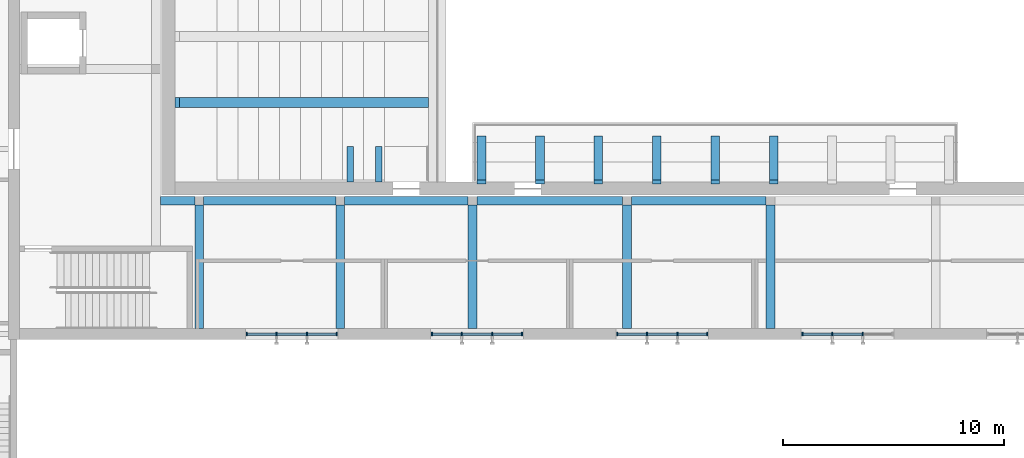
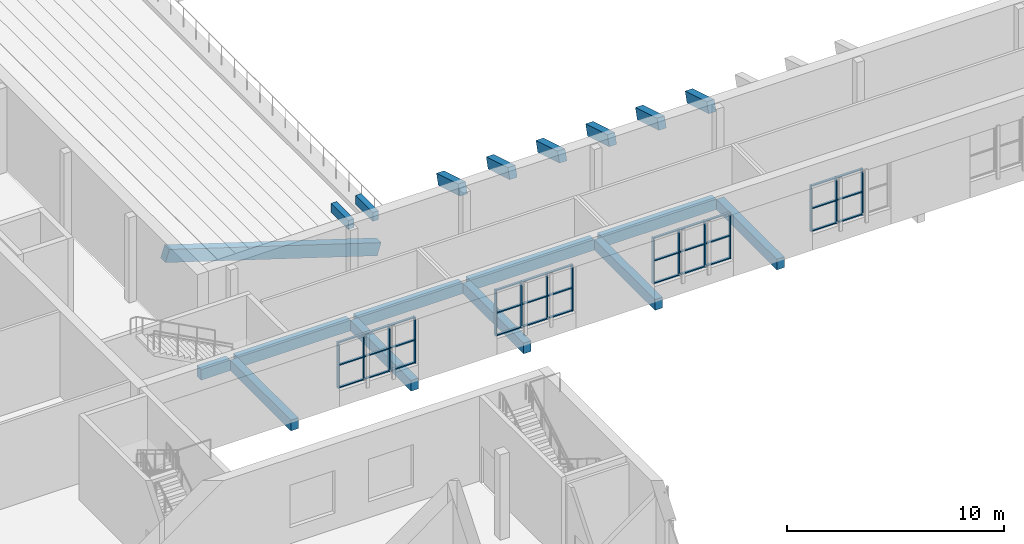
# One storey, part 22 of 127: 48 members, 19 beams, 4 elements without a shape of their own.
"""IFC4 building model written with IfcOpenShell, lengths in metres."""

from ifc_helpers import new_model, si_unit, direction, frame, origin, origin_2d, place, context, subcontext, project, spatial, rectangle, extrude, material, material_profile, profile_set, type_object, element, aggregate, save


model = new_model("IFC4")

# Units and contexts
model_context = context("Model", 3, precision=1e-05, world=origin(), true_north=direction((0.0, 1.0)))
body_context = subcontext(model_context, "Body", "Model", "MODEL_VIEW")
ifc_project = project(units=[si_unit("LENGTHUNIT", "METRE"), si_unit("AREAUNIT", "SQUARE_METRE"), si_unit("VOLUMEUNIT", "CUBIC_METRE"), si_unit("PLANEANGLEUNIT", "RADIAN"), si_unit("MASSUNIT", "GRAM", prefix="KILO")], contexts=[model_context])

# Site, building, storey
site_placement = place(None, origin())
site = spatial("IfcSite", under=ifc_project, at=site_placement, CompositionType="ELEMENT")
building_placement = place(site_placement, origin())
building = spatial("IfcBuilding", under=site, at=building_placement, Name="Ljudholm Concert House", CompositionType="ELEMENT")
storey_placement = place(building_placement, frame((0.0, 0.0, 5.39990234375)))
storey = spatial("IfcBuildingStorey", under=building, at=storey_placement, Name="L01", CompositionType="ELEMENT", Elevation=5.39990234375)

# Curtain wall, members
ifc_material_1 = material(Name="Aluminium curtain wall with impact-rated laminated glass", Category="aluminium")
curtain_wall_type = type_object("IfcCurtainWallType", Name="CURTAIN WALL 1400", PredefinedType="NOTDEFINED", material=ifc_material_1)
curtain_wall_1_placement = place(storey_placement, origin())
curtain_wall_1 = element("IfcCurtainWall", 1, at=curtain_wall_1_placement, inside=storey, type_object=curtain_wall_type, Name="Promenade curtain wall", PredefinedType="NOTDEFINED")
ifc_material_2 = material(Name="Aluminium extrusion", Category="aluminium")
ifc_material_profile_1 = material_profile(ifc_material_2, rectangle(XDim=0.159912109375, YDim=0.06005859375, at=origin_2d()), Name="MULLION 60x160")
ifc_profile_set_1 = profile_set([ifc_material_profile_1], Name="Aluminium extrusion")
member_type_1 = type_object("IfcMemberType", Name="MULLION 60x160", PredefinedType="MULLION", material=ifc_profile_set_1)
member_1_placement = place(storey_placement, frame((39.760009765625, 54.39990234375, 0.900146484375), z_axis=(0.0, 0.0, 1.0), x_axis=(0.0, 1.0, 0.0)))
member_1 = element("IfcMember", 2, at=member_1_placement, type_object=member_type_1, Name="Mullion", PredefinedType="MULLION", context=body_context, shape_type="SweptSolid", body=[
    extrude(rectangle(XDim=0.159912109375, YDim=0.06005859375, at=origin_2d()), origin(), (0.0, 0.0, 1.0), 2.599853515625),
])
member_2_placement = place(storey_placement, frame((41.110107421875, 54.39990234375, 0.900146484375), z_axis=(0.0, 0.0, 1.0), x_axis=(0.0, 1.0, 0.0)))
member_2 = element("IfcMember", 3, at=member_2_placement, type_object=member_type_1, Name="Mullion", PredefinedType="MULLION", context=body_context, shape_type="SweptSolid", body=[
    extrude(rectangle(XDim=0.159912109375, YDim=0.06005859375, at=origin_2d()), origin(), (0.0, 0.0, 1.0), 2.599853515625),
])
member_3_placement = place(storey_placement, frame((42.489990234375, 54.39990234375, 0.900146484375), z_axis=(0.0, 0.0, 1.0), x_axis=(0.0, 1.0, 0.0)))
member_3 = element("IfcMember", 4, at=member_3_placement, type_object=member_type_1, Name="Mullion", PredefinedType="MULLION", context=body_context, shape_type="SweptSolid", body=[
    extrude(rectangle(XDim=0.159912109375, YDim=0.06005859375, at=origin_2d()), origin(), (0.0, 0.0, 1.0), 2.599853515625),
])
member_4_placement = place(storey_placement, frame((43.840087890625, 54.39990234375, 0.900146484375), z_axis=(0.0, 0.0, 1.0), x_axis=(0.0, 1.0, 0.0)))
member_4 = element("IfcMember", 5, at=member_4_placement, type_object=member_type_1, Name="Mullion", PredefinedType="MULLION", context=body_context, shape_type="SweptSolid", body=[
    extrude(rectangle(XDim=0.159912109375, YDim=0.06005859375, at=origin_2d()), origin(), (0.0, 0.0, 1.0), 2.599853515625),
])

curtain_wall_2_placement = place(storey_placement, origin())
curtain_wall_2 = element("IfcCurtainWall", 6, at=curtain_wall_2_placement, inside=storey, type_object=curtain_wall_type, Name="Promenade curtain wall", PredefinedType="NOTDEFINED")
member_5_placement = place(storey_placement, frame((48.159912109375, 54.39990234375, 0.900146484375), z_axis=(0.0, 0.0, 1.0), x_axis=(0.0, 1.0, 0.0)))
member_5 = element("IfcMember", 7, at=member_5_placement, type_object=member_type_1, Name="Mullion", PredefinedType="MULLION", context=body_context, shape_type="SweptSolid", body=[
    extrude(rectangle(XDim=0.159912109375, YDim=0.06005859375, at=origin_2d()), origin(), (0.0, 0.0, 1.0), 2.599853515625),
])
member_6_placement = place(storey_placement, frame((49.510009765625, 54.39990234375, 0.900146484375), z_axis=(0.0, 0.0, 1.0), x_axis=(0.0, 1.0, 0.0)))
member_6 = element("IfcMember", 8, at=member_6_placement, type_object=member_type_1, Name="Mullion", PredefinedType="MULLION", context=body_context, shape_type="SweptSolid", body=[
    extrude(rectangle(XDim=0.159912109375, YDim=0.06005859375, at=origin_2d()), origin(), (0.0, 0.0, 1.0), 2.599853515625),
])
member_7_placement = place(storey_placement, frame((50.889892578125, 54.39990234375, 0.900146484375), z_axis=(0.0, 0.0, 1.0), x_axis=(0.0, 1.0, 0.0)))
member_7 = element("IfcMember", 9, at=member_7_placement, type_object=member_type_1, Name="Mullion", PredefinedType="MULLION", context=body_context, shape_type="SweptSolid", body=[
    extrude(rectangle(XDim=0.159912109375, YDim=0.06005859375, at=origin_2d()), origin(), (0.0, 0.0, 1.0), 2.599853515625),
])
member_8_placement = place(storey_placement, frame((52.239990234375, 54.39990234375, 0.900146484375), z_axis=(0.0, 0.0, 1.0), x_axis=(0.0, 1.0, 0.0)))
member_8 = element("IfcMember", 10, at=member_8_placement, type_object=member_type_1, Name="Mullion", PredefinedType="MULLION", context=body_context, shape_type="SweptSolid", body=[
    extrude(rectangle(XDim=0.159912109375, YDim=0.06005859375, at=origin_2d()), origin(), (0.0, 0.0, 1.0), 2.599853515625),
])

curtain_wall_3_placement = place(storey_placement, origin())
curtain_wall_3 = element("IfcCurtainWall", 11, at=curtain_wall_3_placement, inside=storey, type_object=curtain_wall_type, Name="Promenade curtain wall", PredefinedType="NOTDEFINED")
member_9_placement = place(storey_placement, frame((56.56005859375, 54.39990234375, 0.900146484375), z_axis=(0.0, 0.0, 1.0), x_axis=(0.0, 1.0, 0.0)))
member_9 = element("IfcMember", 12, at=member_9_placement, type_object=member_type_1, Name="Mullion", PredefinedType="MULLION", context=body_context, shape_type="SweptSolid", body=[
    extrude(rectangle(XDim=0.159912109375, YDim=0.06005859375, at=origin_2d()), origin(), (0.0, 0.0, 1.0), 2.599853515625),
])
member_10_placement = place(storey_placement, frame((57.909912109375, 54.39990234375, 0.900146484375), z_axis=(0.0, 0.0, 1.0), x_axis=(0.0, 1.0, 0.0)))
member_10 = element("IfcMember", 13, at=member_10_placement, type_object=member_type_1, Name="Mullion", PredefinedType="MULLION", context=body_context, shape_type="SweptSolid", body=[
    extrude(rectangle(XDim=0.159912109375, YDim=0.06005859375, at=origin_2d()), origin(), (0.0, 0.0, 1.0), 2.599853515625),
])
member_11_placement = place(storey_placement, frame((59.2900390625, 54.39990234375, 0.900146484375), z_axis=(0.0, 0.0, 1.0), x_axis=(0.0, 1.0, 0.0)))
member_11 = element("IfcMember", 14, at=member_11_placement, type_object=member_type_1, Name="Mullion", PredefinedType="MULLION", context=body_context, shape_type="SweptSolid", body=[
    extrude(rectangle(XDim=0.159912109375, YDim=0.06005859375, at=origin_2d()), origin(), (0.0, 0.0, 1.0), 2.599853515625),
])
member_12_placement = place(storey_placement, frame((60.639892578125, 54.39990234375, 0.900146484375), z_axis=(0.0, 0.0, 1.0), x_axis=(0.0, 1.0, 0.0)))
member_12 = element("IfcMember", 15, at=member_12_placement, type_object=member_type_1, Name="Mullion", PredefinedType="MULLION", context=body_context, shape_type="SweptSolid", body=[
    extrude(rectangle(XDim=0.159912109375, YDim=0.06005859375, at=origin_2d()), origin(), (0.0, 0.0, 1.0), 2.599853515625),
])

curtain_wall_4_placement = place(storey_placement, origin())
curtain_wall_4 = element("IfcCurtainWall", 16, at=curtain_wall_4_placement, inside=storey, type_object=curtain_wall_type, Name="Promenade curtain wall", PredefinedType="NOTDEFINED")
member_13_placement = place(storey_placement, frame((64.9599609375, 54.39990234375, 0.900146484375), z_axis=(0.0, 0.0, 1.0), x_axis=(0.0, 1.0, 0.0)))
member_13 = element("IfcMember", 17, at=member_13_placement, type_object=member_type_1, Name="Mullion", PredefinedType="MULLION", context=body_context, shape_type="SweptSolid", body=[
    extrude(rectangle(XDim=0.159912109375, YDim=0.06005859375, at=origin_2d()), origin(), (0.0, 0.0, 1.0), 2.599853515625),
])
member_14_placement = place(storey_placement, frame((66.31005859375, 54.39990234375, 0.900146484375), z_axis=(0.0, 0.0, 1.0), x_axis=(0.0, 1.0, 0.0)))
member_14 = element("IfcMember", 18, at=member_14_placement, type_object=member_type_1, Name="Mullion", PredefinedType="MULLION", context=body_context, shape_type="SweptSolid", body=[
    extrude(rectangle(XDim=0.159912109375, YDim=0.06005859375, at=origin_2d()), origin(), (0.0, 0.0, 1.0), 2.599853515625),
])
member_15_placement = place(storey_placement, frame((67.68994140625, 54.39990234375, 0.900146484375), z_axis=(0.0, 0.0, 1.0), x_axis=(0.0, 1.0, 0.0)))
member_15 = element("IfcMember", 19, at=member_15_placement, type_object=member_type_1, Name="Mullion", PredefinedType="MULLION", context=body_context, shape_type="SweptSolid", body=[
    extrude(rectangle(XDim=0.159912109375, YDim=0.06005859375, at=origin_2d()), origin(), (0.0, 0.0, 1.0), 2.599853515625),
])

# Beams
ifc_material_3 = material(Name="Concrete 6,500 psi", Category="concrete")
ifc_material_profile_2 = material_profile(ifc_material_3, rectangle(XDim=0.300048828125, YDim=0.5, at=origin_2d()), Name="RC BEAM 300x500 BEAM")
ifc_profile_set_2 = profile_set([ifc_material_profile_2], Name="Concrete 6,500 psi")
beam_type_1 = type_object("IfcBeamType", Name="RC BEAM 300x500 BEAM", PredefinedType="BEAM", material=ifc_profile_set_2)
for number, where, z_axis, x_axis, name in (
    (20, (44.449951171875, 61.300048828125, 4.300048828125), (0.0, 1.0, 0.0), (-1.0, 0.0, 0.0), "Landing bracket beam"),
    (21, (45.75, 61.300048828125, 4.300048828125), (0.0, 1.0, 0.0), (-1.0, 0.0, 0.0), "Landing bracket beam"),
):
    element("IfcBeam", number, at=place(storey_placement, frame(where, z_axis=z_axis, x_axis=x_axis)), inside=storey, type_object=beam_type_1, Name=name, PredefinedType="BEAM", context=body_context, shape_type="SweptSolid", body=[
        extrude(rectangle(XDim=0.300048828125, YDim=0.5, at=origin_2d()), origin(), (0.0, 0.0, 1.0), 1.599853515625),
    ])
ifc_material_4 = material(Name="Concrete 6,500 psi", Category="concrete")
ifc_material_profile_3 = material_profile(ifc_material_4, rectangle(XDim=0.39990234375, YDim=0.60009765625, at=origin_2d()), Name="RC BEAM 400x600")
ifc_profile_set_3 = profile_set([ifc_material_profile_3], Name="Concrete 6,500 psi")
beam_type_2 = type_object("IfcBeamType", Name="RC BEAM 400x600", PredefinedType="BEAM", material=ifc_profile_set_3)
beam_1_placement = place(storey_placement, frame((37.800048828125, 60.449951171875, -0.5498046875), z_axis=(1.0, 0.0, 0.0), x_axis=(0.0, 1.0, 0.0)))
element("IfcBeam", 22, at=beam_1_placement, inside=storey, type_object=beam_type_2, Name="Ring beam", PredefinedType="BEAM", context=body_context, shape_type="SweptSolid", body=[
    extrude(rectangle(XDim=0.39990234375, YDim=0.60009765625, at=origin_2d()), origin(), (0.0, 0.0, 1.0), 6.0),
])
beam_2_placement = place(storey_placement, frame((44.199951171875, 60.449951171875, -0.5498046875), z_axis=(1.0, 0.0, 0.0), x_axis=(0.0, 1.0, 0.0)))
element("IfcBeam", 23, at=beam_2_placement, inside=storey, type_object=beam_type_2, Name="Ring beam", PredefinedType="BEAM", context=body_context, shape_type="SweptSolid", body=[
    extrude(rectangle(XDim=0.39990234375, YDim=0.60009765625, at=origin_2d()), origin(), (0.0, 0.0, 1.0), 5.60009765625),
])
beam_3_placement = place(storey_placement, frame((50.199951171875, 60.449951171875, -0.5498046875), z_axis=(1.0, 0.0, 0.0), x_axis=(0.0, 1.0, 0.0)))
element("IfcBeam", 24, at=beam_3_placement, inside=storey, type_object=beam_type_2, Name="Ring beam", PredefinedType="BEAM", context=body_context, shape_type="SweptSolid", body=[
    extrude(rectangle(XDim=0.39990234375, YDim=0.60009765625, at=origin_2d()), origin(), (0.0, 0.0, 1.0), 6.60009765625),
])
beam_4_placement = place(storey_placement, frame((57.199951171875, 60.449951171875, -0.5498046875), z_axis=(1.0, 0.0, 0.0), x_axis=(0.0, 1.0, 0.0)))
element("IfcBeam", 25, at=beam_4_placement, inside=storey, type_object=beam_type_2, Name="Ring beam", PredefinedType="BEAM", context=body_context, shape_type="SweptSolid", body=[
    extrude(rectangle(XDim=0.39990234375, YDim=0.60009765625, at=origin_2d()), origin(), (0.0, 0.0, 1.0), 6.10009765625),
])
for number, where, z_axis, x_axis, name in (
    (26, (37.60009765625, 60.25, -0.5498046875), (0.0, -1.0, 0.0), (1.0, 0.0, 0.0), "Ring cross beam"),
    (27, (44.0, 60.25, -0.5498046875), (0.0, -1.0, 0.0), (1.0, 0.0, 0.0), "Ring cross beam"),
    (28, (50.0, 60.25, -0.5498046875), (0.0, -1.0, 0.0), (1.0, 0.0, 0.0), "Ring cross beam"),
    (29, (57.0, 60.25, -0.5498046875), (0.0, -1.0, 0.0), (1.0, 0.0, 0.0), "Ring cross beam"),
    (30, (63.5, 60.25, -0.5498046875), (0.0, -1.0, 0.0), (1.0, 0.0, 0.0), "Ring cross beam"),
):
    element("IfcBeam", number, at=place(storey_placement, frame(where, z_axis=z_axis, x_axis=x_axis)), inside=storey, type_object=beam_type_2, Name=name, PredefinedType="BEAM", context=body_context, shape_type="SweptSolid", body=[
        extrude(rectangle(XDim=0.39990234375, YDim=0.60009765625, at=origin_2d()), origin(), (0.0, 0.0, 1.0), 5.60009765625),
    ])
beam_5_placement = place(storey_placement, frame((35.85009765625, 60.449951171875, -0.5498046875), z_axis=(1.0, 0.0, 0.0), x_axis=(0.0, 1.0, 0.0)))
element("IfcBeam", 31, at=beam_5_placement, inside=storey, type_object=beam_type_2, Name="Ring beam", PredefinedType="BEAM", context=body_context, shape_type="SweptSolid", body=[
    extrude(rectangle(XDim=0.39990234375, YDim=0.60009765625, at=origin_2d()), origin(), (0.0, 0.0, 1.0), 1.5498046875),
])
ifc_material_5 = material(Name="Concrete 6,500 psi", Category="concrete")
ifc_material_profile_4 = material_profile(ifc_material_5, rectangle(XDim=0.39990234375, YDim=0.60009765625, at=origin_2d()), Name="RC BEAM 400x600 BEAM")
ifc_profile_set_4 = profile_set([ifc_material_profile_4], Name="Concrete 6,500 psi")
beam_type_3 = type_object("IfcBeamType", Name="RC BEAM 400x600 BEAM", PredefinedType="BEAM", material=ifc_profile_set_4)
for number, where, z_axis, x_axis, name in (
    (32, (50.39990234375, 61.300048828125, 4.2001953125), (0.0, 0.957813412269, -0.287390791914), (-1.0, 0.0, 0.0), "Gallery bracket beam"),
    (33, (53.050048828125, 61.300048828125, 4.2001953125), (0.0, 0.957813412269, -0.287390791914), (-1.0, 0.0, 0.0), "Gallery bracket beam"),
    (34, (55.699951171875, 61.300048828125, 4.2001953125), (0.0, 0.957813412269, -0.287390791914), (-1.0, 0.0, 0.0), "Gallery bracket beam"),
    (35, (58.35009765625, 61.300048828125, 4.2001953125), (0.0, 0.957813412269, -0.287390791914), (-1.0, 0.0, 0.0), "Gallery bracket beam"),
    (36, (61.0, 61.300048828125, 4.2001953125), (0.0, 0.957813412269, -0.287390791914), (-1.0, 0.0, 0.0), "Gallery bracket beam"),
    (37, (63.64990234375, 61.300048828125, 4.2001953125), (0.0, 0.957813412269, -0.287390791914), (-1.0, 0.0, 0.0), "Gallery bracket beam"),
):
    element("IfcBeam", number, at=place(storey_placement, frame(where, z_axis=z_axis, x_axis=x_axis)), inside=storey, type_object=beam_type_3, Name=name, PredefinedType="BEAM", context=body_context, shape_type="SweptSolid", body=[
        extrude(rectangle(XDim=0.39990234375, YDim=0.60009765625, at=origin_2d()), origin(), (0.0, 0.0, 1.0), 2.088134765625),
    ])
ifc_material_6 = material(Name="Concrete 6,500 psi", Category="concrete")
ifc_material_profile_5 = material_profile(ifc_material_6, rectangle(XDim=0.449951171875, YDim=0.699951171875, at=origin_2d()), Name="RC BEAM 450x700 BEAM")
ifc_profile_set_5 = profile_set([ifc_material_profile_5], Name="Concrete 6,500 psi")
beam_type_4 = type_object("IfcBeamType", Name="RC BEAM 450x700 BEAM", PredefinedType="BEAM", material=ifc_profile_set_5)
beam_6_placement = place(storey_placement, frame((36.60498046875, 64.89990234375, 3.201171875), z_axis=(0.953578925305, 0.0, -0.301143210474), x_axis=(0.0, 1.0, 0.0)))
element("IfcBeam", 38, at=beam_6_placement, inside=storey, type_object=beam_type_4, Name="Raker beam", PredefinedType="BEAM", context=body_context, shape_type="SweptSolid", body=[
    extrude(rectangle(XDim=0.449951171875, YDim=0.699951171875, at=origin_2d()), origin(), (0.0, 0.0, 1.0), 11.839599609375),
])

# Member
ifc_material_7 = material(Name="Aluminium extrusion", Category="aluminium")
ifc_material_profile_6 = material_profile(ifc_material_7, rectangle(XDim=0.1201171875, YDim=0.06005859375, at=origin_2d()), Name="TRANSOM 60x120")
ifc_profile_set_6 = profile_set([ifc_material_profile_6], Name="Aluminium extrusion")
member_type_2 = type_object("IfcMemberType", Name="TRANSOM 60x120", PredefinedType="USERDEFINED", material=ifc_profile_set_6)
member_16_placement = place(storey_placement, frame((39.7900390625, 54.39990234375, 0.93017578125), z_axis=(1.0, 0.0, 0.0), x_axis=(0.0, 1.0, 0.0)))
member_16 = element("IfcMember", 39, at=member_16_placement, type_object=member_type_2, Name="Transom", ObjectType="TRANSOM", PredefinedType="USERDEFINED", context=body_context, shape_type="SweptSolid", body=[
    extrude(rectangle(XDim=0.1201171875, YDim=0.06005859375, at=origin_2d()), origin(), (0.0, 0.0, 1.0), 1.2900390625),
])

member_17_placement = place(storey_placement, frame((39.7900390625, 54.39990234375, 2.2001953125), z_axis=(1.0, 0.0, 0.0), x_axis=(0.0, 1.0, 0.0)))
member_17 = element("IfcMember", 40, at=member_17_placement, type_object=member_type_2, Name="Transom", ObjectType="TRANSOM", PredefinedType="USERDEFINED", context=body_context, shape_type="SweptSolid", body=[
    extrude(rectangle(XDim=0.1201171875, YDim=0.06005859375, at=origin_2d()), origin(), (0.0, 0.0, 1.0), 1.2900390625),
])

member_18_placement = place(storey_placement, frame((39.7900390625, 54.39990234375, 3.47021484375), z_axis=(1.0, 0.0, 0.0), x_axis=(0.0, 1.0, 0.0)))
member_18 = element("IfcMember", 41, at=member_18_placement, type_object=member_type_2, Name="Transom", ObjectType="TRANSOM", PredefinedType="USERDEFINED", context=body_context, shape_type="SweptSolid", body=[
    extrude(rectangle(XDim=0.1201171875, YDim=0.06005859375, at=origin_2d()), origin(), (0.0, 0.0, 1.0), 1.2900390625),
])

member_19_placement = place(storey_placement, frame((41.139892578125, 54.39990234375, 0.93017578125), z_axis=(1.0, 0.0, 0.0), x_axis=(0.0, 1.0, 0.0)))
member_19 = element("IfcMember", 42, at=member_19_placement, type_object=member_type_2, Name="Transom", ObjectType="TRANSOM", PredefinedType="USERDEFINED", context=body_context, shape_type="SweptSolid", body=[
    extrude(rectangle(XDim=0.1201171875, YDim=0.06005859375, at=origin_2d()), origin(), (0.0, 0.0, 1.0), 1.320068359375),
])

member_20_placement = place(storey_placement, frame((41.139892578125, 54.39990234375, 2.2001953125), z_axis=(1.0, 0.0, 0.0), x_axis=(0.0, 1.0, 0.0)))
member_20 = element("IfcMember", 43, at=member_20_placement, type_object=member_type_2, Name="Transom", ObjectType="TRANSOM", PredefinedType="USERDEFINED", context=body_context, shape_type="SweptSolid", body=[
    extrude(rectangle(XDim=0.1201171875, YDim=0.06005859375, at=origin_2d()), origin(), (0.0, 0.0, 1.0), 1.320068359375),
])

member_21_placement = place(storey_placement, frame((41.139892578125, 54.39990234375, 3.47021484375), z_axis=(1.0, 0.0, 0.0), x_axis=(0.0, 1.0, 0.0)))
member_21 = element("IfcMember", 44, at=member_21_placement, type_object=member_type_2, Name="Transom", ObjectType="TRANSOM", PredefinedType="USERDEFINED", context=body_context, shape_type="SweptSolid", body=[
    extrude(rectangle(XDim=0.1201171875, YDim=0.06005859375, at=origin_2d()), origin(), (0.0, 0.0, 1.0), 1.320068359375),
])

member_22_placement = place(storey_placement, frame((42.52001953125, 54.39990234375, 0.93017578125), z_axis=(1.0, 0.0, 0.0), x_axis=(0.0, 1.0, 0.0)))
member_22 = element("IfcMember", 45, at=member_22_placement, type_object=member_type_2, Name="Transom", ObjectType="TRANSOM", PredefinedType="USERDEFINED", context=body_context, shape_type="SweptSolid", body=[
    extrude(rectangle(XDim=0.1201171875, YDim=0.06005859375, at=origin_2d()), origin(), (0.0, 0.0, 1.0), 1.2900390625),
])

member_23_placement = place(storey_placement, frame((42.52001953125, 54.39990234375, 2.2001953125), z_axis=(1.0, 0.0, 0.0), x_axis=(0.0, 1.0, 0.0)))
member_23 = element("IfcMember", 46, at=member_23_placement, type_object=member_type_2, Name="Transom", ObjectType="TRANSOM", PredefinedType="USERDEFINED", context=body_context, shape_type="SweptSolid", body=[
    extrude(rectangle(XDim=0.1201171875, YDim=0.06005859375, at=origin_2d()), origin(), (0.0, 0.0, 1.0), 1.2900390625),
])

member_24_placement = place(storey_placement, frame((42.52001953125, 54.39990234375, 3.47021484375), z_axis=(1.0, 0.0, 0.0), x_axis=(0.0, 1.0, 0.0)))
member_24 = element("IfcMember", 47, at=member_24_placement, type_object=member_type_2, Name="Transom", ObjectType="TRANSOM", PredefinedType="USERDEFINED", context=body_context, shape_type="SweptSolid", body=[
    extrude(rectangle(XDim=0.1201171875, YDim=0.06005859375, at=origin_2d()), origin(), (0.0, 0.0, 1.0), 1.2900390625),
])

aggregate(curtain_wall_1, [member_1, member_2, member_3, member_4, member_16, member_17, member_18, member_19, member_20, member_21, member_22, member_23, member_24])

member_25_placement = place(storey_placement, frame((48.18994140625, 54.39990234375, 0.93017578125), z_axis=(1.0, 0.0, 0.0), x_axis=(0.0, 1.0, 0.0)))
member_25 = element("IfcMember", 48, at=member_25_placement, type_object=member_type_2, Name="Transom", ObjectType="TRANSOM", PredefinedType="USERDEFINED", context=body_context, shape_type="SweptSolid", body=[
    extrude(rectangle(XDim=0.1201171875, YDim=0.06005859375, at=origin_2d()), origin(), (0.0, 0.0, 1.0), 1.2900390625),
])

member_26_placement = place(storey_placement, frame((48.18994140625, 54.39990234375, 2.2001953125), z_axis=(1.0, 0.0, 0.0), x_axis=(0.0, 1.0, 0.0)))
member_26 = element("IfcMember", 49, at=member_26_placement, type_object=member_type_2, Name="Transom", ObjectType="TRANSOM", PredefinedType="USERDEFINED", context=body_context, shape_type="SweptSolid", body=[
    extrude(rectangle(XDim=0.1201171875, YDim=0.06005859375, at=origin_2d()), origin(), (0.0, 0.0, 1.0), 1.2900390625),
])

member_27_placement = place(storey_placement, frame((48.18994140625, 54.39990234375, 3.47021484375), z_axis=(1.0, 0.0, 0.0), x_axis=(0.0, 1.0, 0.0)))
member_27 = element("IfcMember", 50, at=member_27_placement, type_object=member_type_2, Name="Transom", ObjectType="TRANSOM", PredefinedType="USERDEFINED", context=body_context, shape_type="SweptSolid", body=[
    extrude(rectangle(XDim=0.1201171875, YDim=0.06005859375, at=origin_2d()), origin(), (0.0, 0.0, 1.0), 1.2900390625),
])

member_28_placement = place(storey_placement, frame((49.5400390625, 54.39990234375, 0.93017578125), z_axis=(1.0, 0.0, 0.0), x_axis=(0.0, 1.0, 0.0)))
member_28 = element("IfcMember", 51, at=member_28_placement, type_object=member_type_2, Name="Transom", ObjectType="TRANSOM", PredefinedType="USERDEFINED", context=body_context, shape_type="SweptSolid", body=[
    extrude(rectangle(XDim=0.1201171875, YDim=0.06005859375, at=origin_2d()), origin(), (0.0, 0.0, 1.0), 1.320068359375),
])

member_29_placement = place(storey_placement, frame((49.5400390625, 54.39990234375, 2.2001953125), z_axis=(1.0, 0.0, 0.0), x_axis=(0.0, 1.0, 0.0)))
member_29 = element("IfcMember", 52, at=member_29_placement, type_object=member_type_2, Name="Transom", ObjectType="TRANSOM", PredefinedType="USERDEFINED", context=body_context, shape_type="SweptSolid", body=[
    extrude(rectangle(XDim=0.1201171875, YDim=0.06005859375, at=origin_2d()), origin(), (0.0, 0.0, 1.0), 1.320068359375),
])

member_30_placement = place(storey_placement, frame((49.5400390625, 54.39990234375, 3.47021484375), z_axis=(1.0, 0.0, 0.0), x_axis=(0.0, 1.0, 0.0)))
member_30 = element("IfcMember", 53, at=member_30_placement, type_object=member_type_2, Name="Transom", ObjectType="TRANSOM", PredefinedType="USERDEFINED", context=body_context, shape_type="SweptSolid", body=[
    extrude(rectangle(XDim=0.1201171875, YDim=0.06005859375, at=origin_2d()), origin(), (0.0, 0.0, 1.0), 1.320068359375),
])

member_31_placement = place(storey_placement, frame((50.919921875, 54.39990234375, 0.93017578125), z_axis=(1.0, 0.0, 0.0), x_axis=(0.0, 1.0, 0.0)))
member_31 = element("IfcMember", 54, at=member_31_placement, type_object=member_type_2, Name="Transom", ObjectType="TRANSOM", PredefinedType="USERDEFINED", context=body_context, shape_type="SweptSolid", body=[
    extrude(rectangle(XDim=0.1201171875, YDim=0.06005859375, at=origin_2d()), origin(), (0.0, 0.0, 1.0), 1.2900390625),
])

member_32_placement = place(storey_placement, frame((50.919921875, 54.39990234375, 2.2001953125), z_axis=(1.0, 0.0, 0.0), x_axis=(0.0, 1.0, 0.0)))
member_32 = element("IfcMember", 55, at=member_32_placement, type_object=member_type_2, Name="Transom", ObjectType="TRANSOM", PredefinedType="USERDEFINED", context=body_context, shape_type="SweptSolid", body=[
    extrude(rectangle(XDim=0.1201171875, YDim=0.06005859375, at=origin_2d()), origin(), (0.0, 0.0, 1.0), 1.2900390625),
])

member_33_placement = place(storey_placement, frame((50.919921875, 54.39990234375, 3.47021484375), z_axis=(1.0, 0.0, 0.0), x_axis=(0.0, 1.0, 0.0)))
member_33 = element("IfcMember", 56, at=member_33_placement, type_object=member_type_2, Name="Transom", ObjectType="TRANSOM", PredefinedType="USERDEFINED", context=body_context, shape_type="SweptSolid", body=[
    extrude(rectangle(XDim=0.1201171875, YDim=0.06005859375, at=origin_2d()), origin(), (0.0, 0.0, 1.0), 1.2900390625),
])

aggregate(curtain_wall_2, [member_5, member_6, member_7, member_8, member_25, member_26, member_27, member_28, member_29, member_30, member_31, member_32, member_33])

member_34_placement = place(storey_placement, frame((56.590087890625, 54.39990234375, 0.93017578125), z_axis=(1.0, 0.0, 0.0), x_axis=(0.0, 1.0, 0.0)))
member_34 = element("IfcMember", 57, at=member_34_placement, type_object=member_type_2, Name="Transom", ObjectType="TRANSOM", PredefinedType="USERDEFINED", context=body_context, shape_type="SweptSolid", body=[
    extrude(rectangle(XDim=0.1201171875, YDim=0.06005859375, at=origin_2d()), origin(), (0.0, 0.0, 1.0), 1.289794921875),
])

member_35_placement = place(storey_placement, frame((56.590087890625, 54.39990234375, 2.2001953125), z_axis=(1.0, 0.0, 0.0), x_axis=(0.0, 1.0, 0.0)))
member_35 = element("IfcMember", 58, at=member_35_placement, type_object=member_type_2, Name="Transom", ObjectType="TRANSOM", PredefinedType="USERDEFINED", context=body_context, shape_type="SweptSolid", body=[
    extrude(rectangle(XDim=0.1201171875, YDim=0.06005859375, at=origin_2d()), origin(), (0.0, 0.0, 1.0), 1.289794921875),
])

member_36_placement = place(storey_placement, frame((56.590087890625, 54.39990234375, 3.47021484375), z_axis=(1.0, 0.0, 0.0), x_axis=(0.0, 1.0, 0.0)))
member_36 = element("IfcMember", 59, at=member_36_placement, type_object=member_type_2, Name="Transom", ObjectType="TRANSOM", PredefinedType="USERDEFINED", context=body_context, shape_type="SweptSolid", body=[
    extrude(rectangle(XDim=0.1201171875, YDim=0.06005859375, at=origin_2d()), origin(), (0.0, 0.0, 1.0), 1.289794921875),
])

member_37_placement = place(storey_placement, frame((57.93994140625, 54.39990234375, 0.93017578125), z_axis=(1.0, 0.0, 0.0), x_axis=(0.0, 1.0, 0.0)))
member_37 = element("IfcMember", 60, at=member_37_placement, type_object=member_type_2, Name="Transom", ObjectType="TRANSOM", PredefinedType="USERDEFINED", context=body_context, shape_type="SweptSolid", body=[
    extrude(rectangle(XDim=0.1201171875, YDim=0.06005859375, at=origin_2d()), origin(), (0.0, 0.0, 1.0), 1.320068359375),
])

member_38_placement = place(storey_placement, frame((57.93994140625, 54.39990234375, 2.2001953125), z_axis=(1.0, 0.0, 0.0), x_axis=(0.0, 1.0, 0.0)))
member_38 = element("IfcMember", 61, at=member_38_placement, type_object=member_type_2, Name="Transom", ObjectType="TRANSOM", PredefinedType="USERDEFINED", context=body_context, shape_type="SweptSolid", body=[
    extrude(rectangle(XDim=0.1201171875, YDim=0.06005859375, at=origin_2d()), origin(), (0.0, 0.0, 1.0), 1.320068359375),
])

member_39_placement = place(storey_placement, frame((57.93994140625, 54.39990234375, 3.47021484375), z_axis=(1.0, 0.0, 0.0), x_axis=(0.0, 1.0, 0.0)))
member_39 = element("IfcMember", 62, at=member_39_placement, type_object=member_type_2, Name="Transom", ObjectType="TRANSOM", PredefinedType="USERDEFINED", context=body_context, shape_type="SweptSolid", body=[
    extrude(rectangle(XDim=0.1201171875, YDim=0.06005859375, at=origin_2d()), origin(), (0.0, 0.0, 1.0), 1.320068359375),
])

member_40_placement = place(storey_placement, frame((59.320068359375, 54.39990234375, 0.93017578125), z_axis=(1.0, 0.0, 0.0), x_axis=(0.0, 1.0, 0.0)))
member_40 = element("IfcMember", 63, at=member_40_placement, type_object=member_type_2, Name="Transom", ObjectType="TRANSOM", PredefinedType="USERDEFINED", context=body_context, shape_type="SweptSolid", body=[
    extrude(rectangle(XDim=0.1201171875, YDim=0.06005859375, at=origin_2d()), origin(), (0.0, 0.0, 1.0), 1.2900390625),
])

member_41_placement = place(storey_placement, frame((59.320068359375, 54.39990234375, 2.2001953125), z_axis=(1.0, 0.0, 0.0), x_axis=(0.0, 1.0, 0.0)))
member_41 = element("IfcMember", 64, at=member_41_placement, type_object=member_type_2, Name="Transom", ObjectType="TRANSOM", PredefinedType="USERDEFINED", context=body_context, shape_type="SweptSolid", body=[
    extrude(rectangle(XDim=0.1201171875, YDim=0.06005859375, at=origin_2d()), origin(), (0.0, 0.0, 1.0), 1.2900390625),
])

member_42_placement = place(storey_placement, frame((59.320068359375, 54.39990234375, 3.47021484375), z_axis=(1.0, 0.0, 0.0), x_axis=(0.0, 1.0, 0.0)))
member_42 = element("IfcMember", 65, at=member_42_placement, type_object=member_type_2, Name="Transom", ObjectType="TRANSOM", PredefinedType="USERDEFINED", context=body_context, shape_type="SweptSolid", body=[
    extrude(rectangle(XDim=0.1201171875, YDim=0.06005859375, at=origin_2d()), origin(), (0.0, 0.0, 1.0), 1.2900390625),
])

aggregate(curtain_wall_3, [member_9, member_10, member_11, member_12, member_34, member_35, member_36, member_37, member_38, member_39, member_40, member_41, member_42])

member_43_placement = place(storey_placement, frame((64.989990234375, 54.39990234375, 0.93017578125), z_axis=(1.0, 0.0, 0.0), x_axis=(0.0, 1.0, 0.0)))
member_43 = element("IfcMember", 66, at=member_43_placement, type_object=member_type_2, Name="Transom", ObjectType="TRANSOM", PredefinedType="USERDEFINED", context=body_context, shape_type="SweptSolid", body=[
    extrude(rectangle(XDim=0.1201171875, YDim=0.06005859375, at=origin_2d()), origin(), (0.0, 0.0, 1.0), 1.2900390625),
])

member_44_placement = place(storey_placement, frame((64.989990234375, 54.39990234375, 2.2001953125), z_axis=(1.0, 0.0, 0.0), x_axis=(0.0, 1.0, 0.0)))
member_44 = element("IfcMember", 67, at=member_44_placement, type_object=member_type_2, Name="Transom", ObjectType="TRANSOM", PredefinedType="USERDEFINED", context=body_context, shape_type="SweptSolid", body=[
    extrude(rectangle(XDim=0.1201171875, YDim=0.06005859375, at=origin_2d()), origin(), (0.0, 0.0, 1.0), 1.2900390625),
])

member_45_placement = place(storey_placement, frame((64.989990234375, 54.39990234375, 3.47021484375), z_axis=(1.0, 0.0, 0.0), x_axis=(0.0, 1.0, 0.0)))
member_45 = element("IfcMember", 68, at=member_45_placement, type_object=member_type_2, Name="Transom", ObjectType="TRANSOM", PredefinedType="USERDEFINED", context=body_context, shape_type="SweptSolid", body=[
    extrude(rectangle(XDim=0.1201171875, YDim=0.06005859375, at=origin_2d()), origin(), (0.0, 0.0, 1.0), 1.2900390625),
])

member_46_placement = place(storey_placement, frame((66.340087890625, 54.39990234375, 0.93017578125), z_axis=(1.0, 0.0, 0.0), x_axis=(0.0, 1.0, 0.0)))
member_46 = element("IfcMember", 69, at=member_46_placement, type_object=member_type_2, Name="Transom", ObjectType="TRANSOM", PredefinedType="USERDEFINED", context=body_context, shape_type="SweptSolid", body=[
    extrude(rectangle(XDim=0.1201171875, YDim=0.06005859375, at=origin_2d()), origin(), (0.0, 0.0, 1.0), 1.31982421875),
])

member_47_placement = place(storey_placement, frame((66.340087890625, 54.39990234375, 2.2001953125), z_axis=(1.0, 0.0, 0.0), x_axis=(0.0, 1.0, 0.0)))
member_47 = element("IfcMember", 70, at=member_47_placement, type_object=member_type_2, Name="Transom", ObjectType="TRANSOM", PredefinedType="USERDEFINED", context=body_context, shape_type="SweptSolid", body=[
    extrude(rectangle(XDim=0.1201171875, YDim=0.06005859375, at=origin_2d()), origin(), (0.0, 0.0, 1.0), 1.31982421875),
])

member_48_placement = place(storey_placement, frame((66.340087890625, 54.39990234375, 3.47021484375), z_axis=(1.0, 0.0, 0.0), x_axis=(0.0, 1.0, 0.0)))
member_48 = element("IfcMember", 71, at=member_48_placement, type_object=member_type_2, Name="Transom", ObjectType="TRANSOM", PredefinedType="USERDEFINED", context=body_context, shape_type="SweptSolid", body=[
    extrude(rectangle(XDim=0.1201171875, YDim=0.06005859375, at=origin_2d()), origin(), (0.0, 0.0, 1.0), 1.31982421875),
])

aggregate(curtain_wall_4, [member_13, member_14, member_15, member_43, member_44, member_45, member_46, member_47, member_48])

save(model, "model.ifc")
